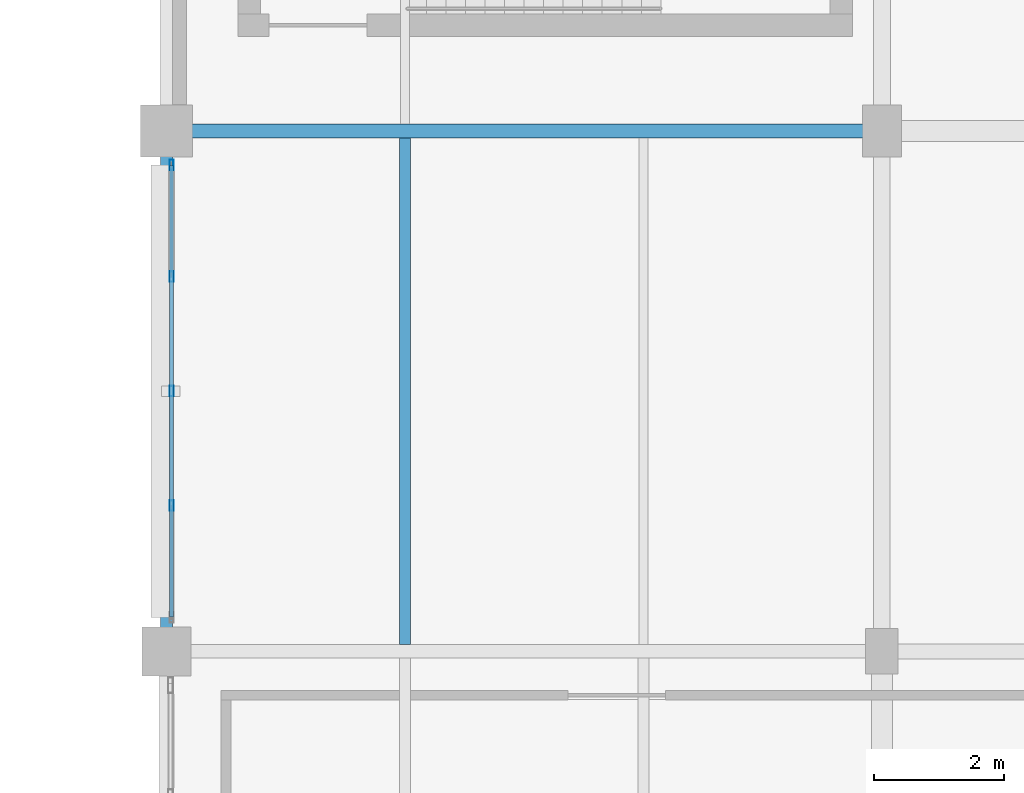
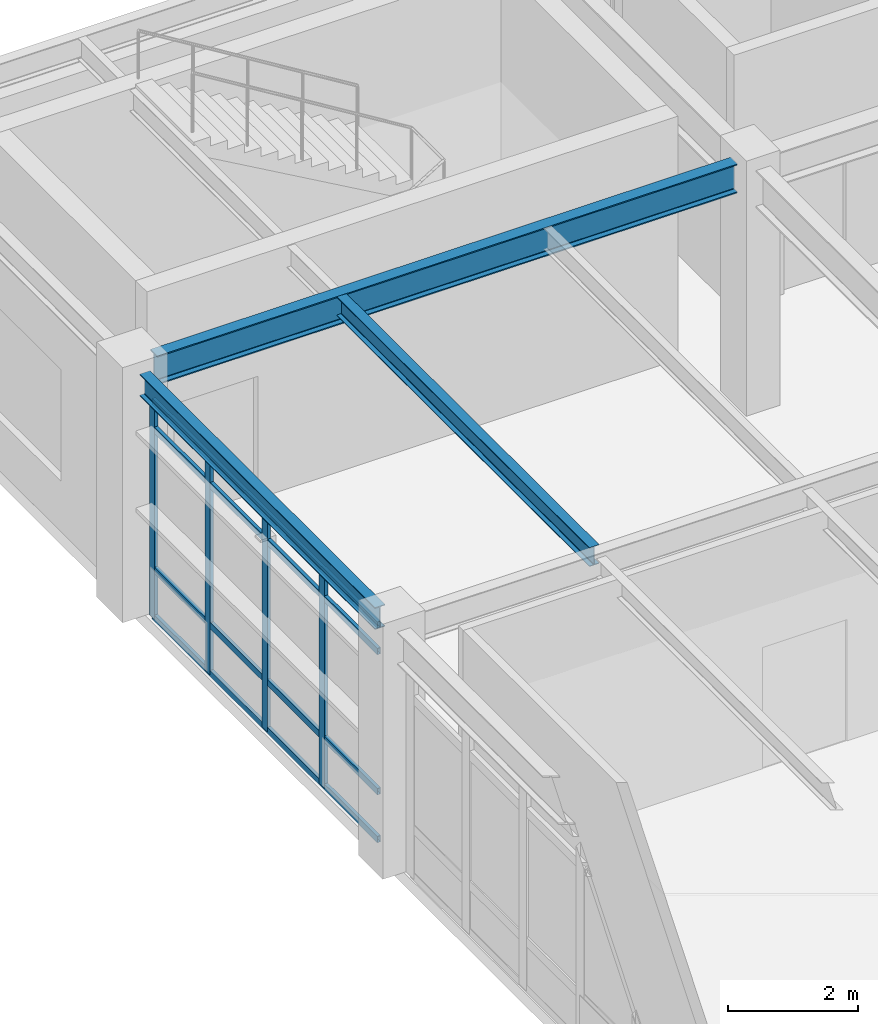
# One storey, part 66 of 200: 8 members, 3 beams, 1 element without a shape of its own.
"""IFC4 building model written with IfcOpenShell, lengths in metres."""

from ifc_helpers import new_model, si_unit, direction, frame, origin, origin_2d, place, context, subcontext, project, spatial, hollow_rectangle, i_section, extrude, material, material_profile, profile_set, type_object, element, aggregate, save


model = new_model("IFC4")

# Units and contexts
model_context = context("Model", 3, precision=1e-05, world=origin(), true_north=direction((0.0, 1.0)))
body_context = subcontext(model_context, "Body", "Model", "MODEL_VIEW")
ifc_project = project(units=[si_unit("LENGTHUNIT", "METRE"), si_unit("AREAUNIT", "SQUARE_METRE"), si_unit("VOLUMEUNIT", "CUBIC_METRE"), si_unit("PLANEANGLEUNIT", "RADIAN"), si_unit("MASSUNIT", "GRAM", prefix="KILO"), si_unit("THERMODYNAMICTEMPERATUREUNIT", "KELVIN"), si_unit("POWERUNIT", "WATT")], contexts=[model_context])

# Site, building, storey
site_placement = place(None, origin())
site = spatial("IfcSite", under=ifc_project, at=site_placement, CompositionType="ELEMENT")
building_placement = place(site_placement, origin())
building = spatial("IfcBuilding", under=site, at=building_placement, Name="Tepalcoro Natatorium and Aquatics Centre", CompositionType="ELEMENT")
storey_placement = place(building_placement, frame((0.0, 0.0, 5.39990234375)))
storey = spatial("IfcBuildingStorey", under=building, at=storey_placement, Name="L01", CompositionType="ELEMENT", Elevation=5.39990234375)

# Beam
ifc_material_1 = material(Name="Steel ASTM A992 Grade 50 (Fy 345 MPa)", Category="steel")
ifc_material_profile_1 = material_profile(ifc_material_1, i_section(OverallWidth=0.2119140625, OverallDepth=0.5439453125, WebThickness=0.012939453125, FlangeThickness=0.02099609375, FilletRadius=0.013916015625, at=origin_2d()), Name="W21X83")
ifc_profile_set_1 = profile_set([ifc_material_profile_1], Name="Steel ASTM A992 Grade 50 (Fy 345 MPa)")
beam_type_1 = type_object("IfcBeamType", Name="BM_W21x83", PredefinedType="BEAM", material=ifc_profile_set_1)
beam_1_placement = place(storey_placement, frame((10.385009765625, 110.0, 4.293212890625), z_axis=(1.0, 0.0, 0.0), x_axis=(0.0, 1.0, 0.0)))
element("IfcBeam", 1, at=beam_1_placement, inside=storey, type_object=beam_type_1, Name="V4 L01 Grid Girder X", PredefinedType="BEAM", context=body_context, shape_type="SweptSolid", body=[
    extrude(i_section(OverallWidth=0.2119140625, OverallDepth=0.5439453125, WebThickness=0.012939453125, FlangeThickness=0.02099609375, FilletRadius=0.013916015625, at=origin_2d()), origin(), (0.0, 0.0, 1.0), 10.330078125),
])

# Curtain wall, members
ifc_material_2 = material(Name="Bronze-Anodised Extruded Aluminium Alloy EN AW-6063 T6", Category="aluminium")
curtain_wall_type = type_object("IfcCurtainWallType", Name="CW_LEAN_T1_EW", PredefinedType="USERDEFINED", material=ifc_material_2)
curtain_wall_placement = place(storey_placement, origin())
curtain_wall = element("IfcCurtainWall", 2, at=curtain_wall_placement, inside=storey, type_object=curtain_wall_type, Name="V4 L01 W Unitised Curtain Wall Bay 3", ObjectType="FACETED SOLAR GLAZING", PredefinedType="USERDEFINED")
ifc_material_profile_2 = material_profile(ifc_material_2, hollow_rectangle(XDim=0.06005859375, YDim=0.159912109375, WallThickness=0.00390625, at=origin_2d()), Name="AL60X160X4")
ifc_profile_set_2 = profile_set([ifc_material_profile_2], Name="Bronze-Anodised Extruded Aluminium Alloy EN AW-6063 T6")
member_type_1 = type_object("IfcMemberType", Name="CW_MUL_60x160", PredefinedType="MULLION", material=ifc_profile_set_2)
member_1_placement = place(storey_placement, frame((10.080078125, 104.239990234375, 0.02001953125), z_axis=(0.0, 0.0, 1.0), x_axis=(1.0, 0.0, 0.0)))
member_1 = element("IfcMember", 3, at=member_1_placement, type_object=member_type_1, Name="CW_LEAN_T1_EW Curtain Wall Mullion", PredefinedType="MULLION", context=body_context, shape_type="SweptSolid", body=[
    extrude(hollow_rectangle(XDim=0.06005859375, YDim=0.159912109375, WallThickness=0.00390625, at=origin_2d()), origin(), (0.0, 0.0, 1.0), 4.09716796875),
])
member_2_placement = place(storey_placement, frame((10.080078125, 106.0, 0.02001953125), z_axis=(0.0, 0.0, 1.0), x_axis=(1.0, 0.0, 0.0)))
member_2 = element("IfcMember", 4, at=member_2_placement, type_object=member_type_1, Name="CW_LEAN_T1_EW Curtain Wall Mullion", PredefinedType="MULLION", context=body_context, shape_type="SweptSolid", body=[
    extrude(hollow_rectangle(XDim=0.06005859375, YDim=0.159912109375, WallThickness=0.00390625, at=origin_2d()), origin(), (0.0, 0.0, 1.0), 4.09716796875),
])
member_3_placement = place(storey_placement, frame((10.080078125, 107.760009765625, 0.02001953125), z_axis=(0.0, 0.0, 1.0), x_axis=(1.0, 0.0, 0.0)))
member_3 = element("IfcMember", 5, at=member_3_placement, type_object=member_type_1, Name="CW_LEAN_T1_EW Curtain Wall Mullion", PredefinedType="MULLION", context=body_context, shape_type="SweptSolid", body=[
    extrude(hollow_rectangle(XDim=0.06005859375, YDim=0.159912109375, WallThickness=0.00390625, at=origin_2d()), origin(), (0.0, 0.0, 1.0), 4.09716796875),
])
member_4_placement = place(storey_placement, frame((10.080078125, 109.47998046875, 0.02001953125), z_axis=(0.0, 0.0, 1.0), x_axis=(1.0, 0.0, 0.0)))
member_4 = element("IfcMember", 6, at=member_4_placement, type_object=member_type_1, Name="CW_LEAN_T1_EW Curtain Wall Mullion", PredefinedType="MULLION", context=body_context, shape_type="SweptSolid", body=[
    extrude(hollow_rectangle(XDim=0.06005859375, YDim=0.159912109375, WallThickness=0.00390625, at=origin_2d()), origin(), (0.0, 0.0, 1.0), 4.09716796875),
])
ifc_material_profile_3 = material_profile(ifc_material_2, hollow_rectangle(XDim=0.06005859375, YDim=0.1201171875, WallThickness=0.00390625, at=origin_2d()), Name="AL60X120X4")
ifc_profile_set_3 = profile_set([ifc_material_profile_3], Name="Bronze-Anodised Extruded Aluminium Alloy EN AW-6063 T6")
member_type_2 = type_object("IfcMemberType", Name="CW_TRN_60x120", PredefinedType="USERDEFINED", material=ifc_profile_set_3)
member_5_placement = place(storey_placement, frame((10.080078125, 102.530029296875, 0.050048828125), z_axis=(0.0, 1.0, 0.0), x_axis=(-1.0, 0.0, 0.0)))
member_5 = element("IfcMember", 7, at=member_5_placement, type_object=member_type_2, Name="CW_LEAN_T1_EW Curtain Wall Transom", ObjectType="TRANSOM", PredefinedType="USERDEFINED", context=body_context, shape_type="SweptSolid", body=[
    extrude(hollow_rectangle(XDim=0.06005859375, YDim=0.1201171875, WallThickness=0.00390625, at=origin_2d()), origin(), (0.0, 0.0, 1.0), 6.93994140625),
])
member_6_placement = place(storey_placement, frame((10.080078125, 102.530029296875, 0.9501953125), z_axis=(0.0, 1.0, 0.0), x_axis=(-1.0, 0.0, 0.0)))
member_6 = element("IfcMember", 8, at=member_6_placement, type_object=member_type_2, Name="CW_LEAN_T1_EW Curtain Wall Transom", ObjectType="TRANSOM", PredefinedType="USERDEFINED", context=body_context, shape_type="SweptSolid", body=[
    extrude(hollow_rectangle(XDim=0.06005859375, YDim=0.1201171875, WallThickness=0.00390625, at=origin_2d()), origin(), (0.0, 0.0, 1.0), 6.93994140625),
])
member_7_placement = place(storey_placement, frame((10.080078125, 102.530029296875, 3.587158203125), z_axis=(0.0, 1.0, 0.0), x_axis=(-1.0, 0.0, 0.0)))
member_7 = element("IfcMember", 9, at=member_7_placement, type_object=member_type_2, Name="CW_LEAN_T1_EW Curtain Wall Transom", ObjectType="TRANSOM", PredefinedType="USERDEFINED", context=body_context, shape_type="SweptSolid", body=[
    extrude(hollow_rectangle(XDim=0.06005859375, YDim=0.1201171875, WallThickness=0.00390625, at=origin_2d()), origin(), (0.0, 0.0, 1.0), 6.93994140625),
])
member_8_placement = place(storey_placement, frame((10.080078125, 102.530029296875, 4.087158203125), z_axis=(0.0, 1.0, 0.0), x_axis=(-1.0, 0.0, 0.0)))
member_8 = element("IfcMember", 10, at=member_8_placement, type_object=member_type_2, Name="CW_LEAN_T1_EW Curtain Wall Transom", ObjectType="TRANSOM", PredefinedType="USERDEFINED", context=body_context, shape_type="SweptSolid", body=[
    extrude(hollow_rectangle(XDim=0.06005859375, YDim=0.1201171875, WallThickness=0.00390625, at=origin_2d()), origin(), (0.0, 0.0, 1.0), 6.93994140625),
])
aggregate(curtain_wall, [member_1, member_2, member_3, member_4, member_5, member_6, member_7, member_8])

# Beams
ifc_material_profile_4 = material_profile(ifc_material_1, i_section(OverallWidth=0.172119140625, OverallDepth=0.35791015625, WebThickness=0.008056640625, FlangeThickness=0.012939453125, FilletRadius=0.013916015625, at=origin_2d()), Name="W14X38")
ifc_profile_set_4 = profile_set([ifc_material_profile_4], Name="Steel ASTM A992 Grade 50 (Fy 345 MPa)")
beam_type_2 = type_object("IfcBeamType", Name="JS_W14x38", PredefinedType="JOIST", material=ifc_profile_set_4)
beam_2_placement = place(storey_placement, frame((13.666748046875, 102.10498046875, 4.385986328125), z_axis=(0.0, 1.0, 0.0), x_axis=(-1.0, 0.0, 0.0)))
element("IfcBeam", 11, at=beam_2_placement, inside=storey, type_object=beam_type_2, Name="V4 L01 Floor Joist", PredefinedType="JOIST", context=body_context, shape_type="SweptSolid", body=[
    extrude(i_section(OverallWidth=0.172119140625, OverallDepth=0.35791015625, WebThickness=0.008056640625, FlangeThickness=0.012939453125, FilletRadius=0.013916015625, at=origin_2d()), origin(), (0.0, 0.0, 1.0), 7.7890625),
])
ifc_material_profile_5 = material_profile(ifc_material_1, i_section(OverallWidth=0.179931640625, OverallDepth=0.4130859375, WebThickness=0.010009765625, FlangeThickness=0.01611328125, FilletRadius=0.013916015625, at=origin_2d()), Name="W16X50")
ifc_profile_set_5 = profile_set([ifc_material_profile_5], Name="Steel ASTM A992 Grade 50 (Fy 345 MPa)")
beam_type_3 = type_object("IfcBeamType", Name="SP_HSS300x200x12", PredefinedType="SPANDREL", material=ifc_profile_set_5)
beam_3_placement = place(storey_placement, frame((10.0, 102.360107421875, 4.358642578125), z_axis=(0.0, 1.0, 0.0), x_axis=(-1.0, 0.0, 0.0)))
element("IfcBeam", 12, at=beam_3_placement, inside=storey, type_object=beam_type_3, Name="V4 L01 Grid Girder Y", PredefinedType="SPANDREL", context=body_context, shape_type="SweptSolid", body=[
    extrude(i_section(OverallWidth=0.179931640625, OverallDepth=0.4130859375, WebThickness=0.010009765625, FlangeThickness=0.01611328125, FilletRadius=0.013916015625, at=origin_2d()), origin(), (0.0, 0.0, 1.0), 7.2548828125),
])

save(model, "model.ifc")
